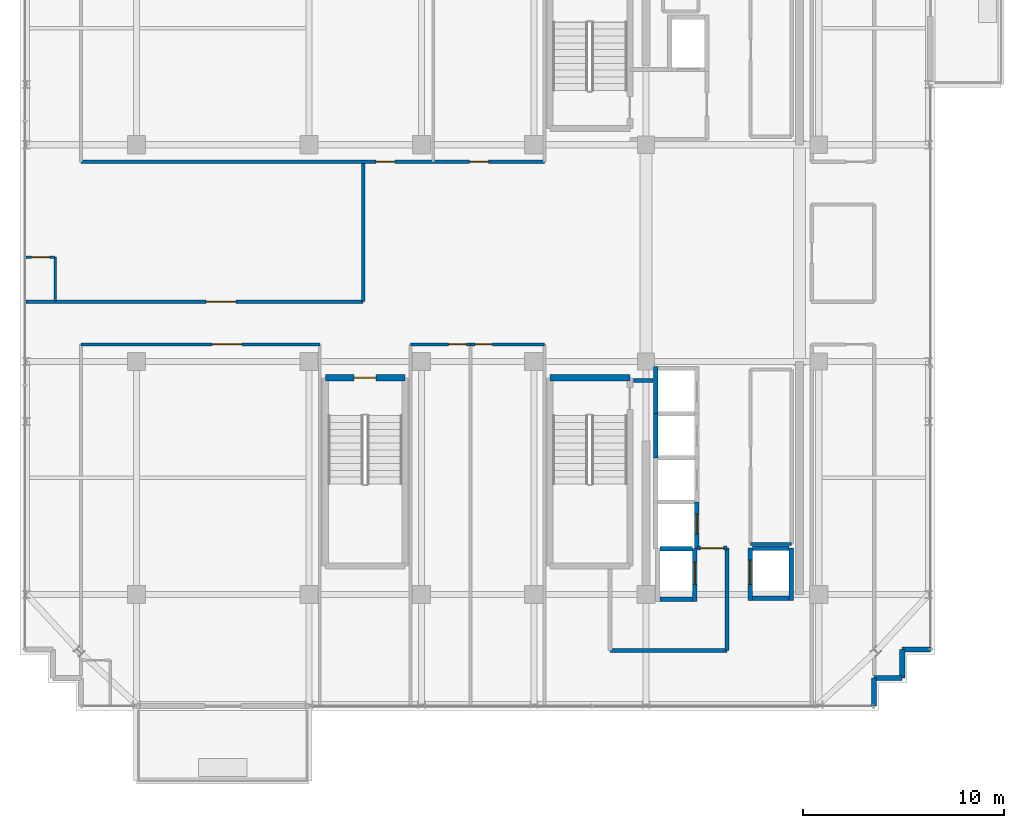
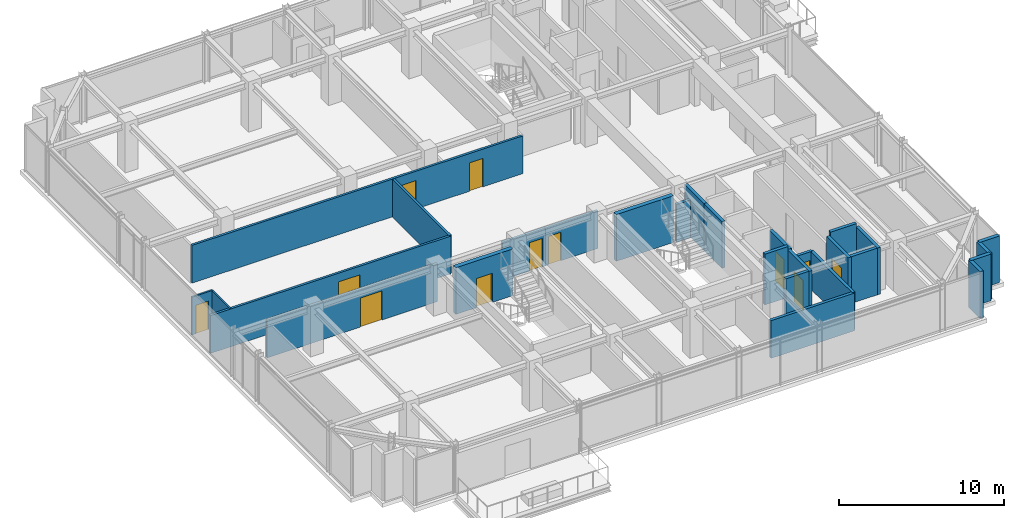
# One storey, part 27 of 32: 29 walls, 12 doors, 12 openings.
"""IFC4 building model written with IfcOpenShell, lengths in metres."""

from ifc_helpers import new_model, si_unit, direction, frame, frame_2d, origin, place, context, subcontext, project, spatial, rectangle, extrude, source, transform, mapped, material, layer, layer_set, type_object, element, fill, save


model = new_model("IFC4")

# Units and contexts
model_context = context("Model", 3, precision=1e-05, world=origin(), true_north=direction((0.0, 1.0)))
body_context = subcontext(model_context, "Body", "Model", "MODEL_VIEW")
ifc_project = project(units=[si_unit("LENGTHUNIT", "METRE"), si_unit("AREAUNIT", "SQUARE_METRE"), si_unit("VOLUMEUNIT", "CUBIC_METRE"), si_unit("PLANEANGLEUNIT", "RADIAN"), si_unit("MASSUNIT", "GRAM", prefix="KILO")], contexts=[model_context])

# Site, building, storey
site_placement = place(None, origin())
site = spatial("IfcSite", under=ifc_project, at=site_placement, CompositionType="ELEMENT")
building_placement = place(site_placement, origin())
building = spatial("IfcBuilding", under=site, at=building_placement, Name="Nahalor Promenade Grand Hotel", CompositionType="ELEMENT")
storey_placement = place(building_placement, frame((0.0, 0.0, 285.050048828125)))
storey = spatial("IfcBuildingStorey", under=building, at=storey_placement, Name="L73", CompositionType="ELEMENT", Elevation=285.050048828125)

# Wall
ifc_material_1 = material(Name="Concrete B-50 (C40/50)", Category="concrete")
ifc_layer_1 = layer(ifc_material_1, 0.300048828125)
ifc_layer_set_1 = layer_set([ifc_layer_1], Name="Concrete B-50 (C40/50)")
wall_type_1 = type_object("IfcWallType", Name="Wall-ShaftShear-300", PredefinedType="SHEAR", material=ifc_layer_set_1)
shared_shape_1 = source(origin(), body_context, "Body", "SweptSolid", [
    extrude(rectangle(XDim=3.97998046875, YDim=0.300048828125, at=frame_2d((1.989990234375, 0.0))), origin(), (0.0, 0.0, 1.0), 3.449951171875),
])
wall_1_placement = place(storey_placement, frame((3.610107421875, -6.2099609375, 0.0), z_axis=(0.0, 0.0, 1.0), x_axis=(1.0, 0.0, 0.0)))
element("IfcWall", 1, at=wall_1_placement, inside=storey, type_object=wall_type_1, Name="L73 Exit Stair ST2 Shaft Wall N", PredefinedType="SHEAR", context=body_context, shape_type="MappedRepresentation", body=[
    mapped(shared_shape_1, transform((0.0, 0.0, 0.0), scale=1.0)),
])

# Wall, opening, door
wall_2_placement = place(storey_placement, frame((-7.590087890625, -6.2099609375, 0.0), z_axis=(0.0, 0.0, 1.0), x_axis=(1.0, 0.0, 0.0)))
wall_2 = element("IfcWall", 2, at=wall_2_placement, inside=storey, type_object=wall_type_1, Name="L73 Exit Stair ST3 Shaft Wall N", PredefinedType="SHEAR", context=body_context, shape_type="MappedRepresentation", body=[
    mapped(shared_shape_1, transform((0.0, 0.0, 0.0), scale=1.0)),
])
opening_1_placement = place(wall_2_placement, frame((1.43994140625, 0.0, 0.0)))
opening_1 = element("IfcOpeningElement", 3, at=opening_1_placement, cuts=wall_2, Name="Opening D-ST1", PredefinedType="OPENING", context=body_context, shape_type="SweptSolid", body=[
    extrude(rectangle(XDim=1.10009765625, YDim=2.14990234375, at=frame_2d((0.550048828125, 1.074951171875))), frame((0.0, 0.159912109375, 0.0), z_axis=(0.0, -1.0, 0.0), x_axis=(1.0, 0.0, 0.0)), (0.0, 0.0, 1.0), 0.320068359375),
])
ifc_material_2 = material(Name="Steel S355JR", Category="steel")
door_type_1 = type_object("IfcDoorType", Name="Door-StairFire-1100", OperationType="NOTDEFINED", PredefinedType="DOOR", material=ifc_material_2)
shared_shape_2 = source(origin(), body_context, "Body", "SweptSolid", [
    extrude(rectangle(XDim=1.10009765625, YDim=2.14990234375, at=frame_2d((0.550048828125, 1.074951171875))), frame((0.0, 0.02490234375, 0.0), z_axis=(0.0, -1.0, 0.0), x_axis=(1.0, 0.0, 0.0)), (0.0, 0.0, 1.0), 0.050048828125),
])
door_1_placement = place(opening_1_placement, frame((1.10009765625, 0.0, 0.0), z_axis=(0.0, 0.0, 1.0), x_axis=(-1.0, 0.0, 0.0)))
door_1 = element("IfcDoor", 4, at=door_1_placement, inside=storey, type_object=door_type_1, Name="DR-STAIR-ST3-L73", OperationType="SINGLE_SWING_RIGHT", OverallHeight=2.14990234375, OverallWidth=1.10009765625, PredefinedType="DOOR", context=body_context, shape_type="MappedRepresentation", body=[
    mapped(shared_shape_2, transform((0.0, 0.0, 0.0), scale=1.0)),
])
fill(opening_1, door_1)

# Walls
ifc_layer_2 = layer(ifc_material_1, 0.219970703125)
ifc_layer_set_2 = layer_set([ifc_layer_2], Name="Concrete B-50 (C40/50)")
wall_type_2 = type_object("IfcWallType", Name="Wall-LiftShaft-220", PredefinedType="SHEAR", material=ifc_layer_set_2)
shared_shape_3 = source(origin(), body_context, "Body", "SweptSolid", [
    extrude(rectangle(XDim=2.360107421875, YDim=0.219970703125, at=frame_2d((1.18017578125, 0.0))), origin(), (0.0, 0.0, 1.0), 3.449951171875),
])
wall_3_placement = place(storey_placement, frame((8.8798828125, -8.0, 0.0), z_axis=(0.0, 0.0, 1.0), x_axis=(0.0, 1.0, 0.0)))
element("IfcWall", 5, at=wall_3_placement, inside=storey, type_object=wall_type_2, Name="L73 Lift PL9 Hoistway Wall W", PredefinedType="SHEAR", context=body_context, shape_type="MappedRepresentation", body=[
    mapped(shared_shape_3, transform((0.0, 0.0, 0.0), scale=1.0)),
])
shared_shape_4 = source(origin(), body_context, "Body", "SweptSolid", [
    extrude(rectangle(XDim=1.820068359375, YDim=0.219970703125, at=frame_2d((0.91015625, 0.0))), origin(), (0.0, 0.0, 1.0), 3.449951171875),
])
wall_4_placement = place(storey_placement, frame((13.68994140625, -17.199951171875, 0.0), z_axis=(0.0, 0.0, 1.0), x_axis=(1.0, 0.0, 0.0)))
element("IfcWall", 6, at=wall_4_placement, inside=storey, type_object=wall_type_2, Name="L73 Lift SV2 Hoistway Wall S", PredefinedType="SHEAR", context=body_context, shape_type="MappedRepresentation", body=[
    mapped(shared_shape_4, transform((0.0, 0.0, 0.0), scale=1.0)),
])
shared_shape_5 = source(origin(), body_context, "Body", "SweptSolid", [
    extrude(rectangle(XDim=2.199951171875, YDim=0.219970703125, at=frame_2d((1.10009765625, 0.0))), origin(), (0.0, 0.0, 1.0), 3.449951171875),
])
wall_5_placement = place(storey_placement, frame((8.8798828125, -10.199951171875, 0.0), z_axis=(0.0, 0.0, 1.0), x_axis=(0.0, 1.0, 0.0)))
element("IfcWall", 7, at=wall_5_placement, inside=storey, type_object=wall_type_2, Name="L73 Lift PL10 Hoistway Wall W", PredefinedType="SHEAR", context=body_context, shape_type="MappedRepresentation", body=[
    mapped(shared_shape_5, transform((0.0, 0.0, 0.0), scale=1.0)),
])
shared_shape_6 = source(origin(), body_context, "Body", "SweptSolid", [
    extrude(rectangle(XDim=1.820068359375, YDim=0.219970703125, at=frame_2d((0.91015625, 0.0))), origin(), (0.0, 0.0, 1.0), 3.75),
])
wall_6_placement = place(storey_placement, frame((13.68994140625, -14.699951171875, 0.0), z_axis=(0.0, 0.0, 1.0), x_axis=(1.0, 0.0, 0.0)))
element("IfcWall", 8, at=wall_6_placement, inside=storey, type_object=wall_type_2, Name="L73 Lift SV2 Hoistway Wall N", PredefinedType="SHEAR", context=body_context, shape_type="MappedRepresentation", body=[
    mapped(shared_shape_6, transform((0.0, 0.0, 0.0), scale=1.0)),
])

# Wall, opening, door
shared_shape_7 = source(origin(), body_context, "Body", "SweptSolid", [
    extrude(rectangle(XDim=2.3251953125, YDim=0.219970703125, at=frame_2d((1.16259765625, 0.0))), origin(), (0.0, 0.0, 1.0), 3.449951171875),
])
wall_7_placement = place(storey_placement, frame((10.919921875, -14.72509765625, 0.0), z_axis=(0.0, 0.0, 1.0), x_axis=(0.0, 1.0, 0.0)))
wall_7 = element("IfcWall", 9, at=wall_7_placement, inside=storey, type_object=wall_type_2, Name="L73 Lift PL12 Hoistway Wall E", PredefinedType="SHEAR", context=body_context, shape_type="MappedRepresentation", body=[
    mapped(shared_shape_7, transform((0.0, 0.0, 0.0), scale=1.0)),
])
opening_2_placement = place(wall_7_placement, frame((0.72509765625, 0.0, 0.0)))
opening_2 = element("IfcOpeningElement", 10, at=opening_2_placement, cuts=wall_7, Name="Opening LD-01", PredefinedType="OPENING", context=body_context, shape_type="SweptSolid", body=[
    extrude(rectangle(XDim=1.0, YDim=2.199951171875, at=frame_2d((0.5, 1.10009765625))), frame((0.0, 0.119873046875, 0.0), z_axis=(0.0, -1.0, 0.0), x_axis=(1.0, 0.0, 0.0)), (0.0, 0.0, 1.0), 0.239990234375),
])
door_type_2 = type_object("IfcDoorType", Name="Door-LiftLanding-1000", OperationType="DOUBLE_DOOR_SLIDING", PredefinedType="DOOR", material=ifc_material_2)
shared_shape_8 = source(origin(), body_context, "Body", "SweptSolid", [
    extrude(rectangle(XDim=1.0, YDim=2.199951171875, at=frame_2d((0.5, 1.10009765625))), frame((0.0, 0.02490234375, 0.0), z_axis=(0.0, -1.0, 0.0), x_axis=(1.0, 0.0, 0.0)), (0.0, 0.0, 1.0), 0.050048828125),
])
door_2_placement = place(opening_2_placement, frame((1.0, 0.0, 0.0), z_axis=(0.0, 0.0, 1.0), x_axis=(-1.0, 0.0, 0.0)))
door_2 = element("IfcDoor", 11, at=door_2_placement, inside=storey, type_object=door_type_2, Name="DR-LIFT-PL12-L73", OperationType="DOUBLE_DOOR_SLIDING", OverallHeight=2.199951171875, OverallWidth=1.0, PredefinedType="DOOR", context=body_context, shape_type="MappedRepresentation", body=[
    mapped(shared_shape_8, transform((0.0, 0.0, 0.0), scale=1.0)),
])
fill(opening_2, door_2)

shared_shape_9 = source(origin(), body_context, "Body", "SweptSolid", [
    extrude(rectangle(XDim=2.635009765625, YDim=0.219970703125, at=frame_2d((1.3173828125, 0.0))), origin(), (0.0, 0.0, 1.0), 3.449951171875),
])
wall_8_placement = place(storey_placement, frame((10.820068359375, -17.360107421875, 0.0), z_axis=(0.0, 0.0, 1.0), x_axis=(0.0, 1.0, 0.0)))
wall_8 = element("IfcWall", 12, at=wall_8_placement, inside=storey, type_object=wall_type_2, Name="L73 Lift FL2 Hoistway Wall E", PredefinedType="SHEAR", context=body_context, shape_type="MappedRepresentation", body=[
    mapped(shared_shape_9, transform((0.0, 0.0, 0.0), scale=1.0)),
])
opening_3_placement = place(wall_8_placement, frame((0.860107421875, 0.0, 0.0)))
opening_3 = element("IfcOpeningElement", 13, at=opening_3_placement, cuts=wall_8, Name="Opening LD-02", PredefinedType="OPENING", context=body_context, shape_type="SweptSolid", body=[
    extrude(rectangle(XDim=1.10009765625, YDim=2.199951171875, at=frame_2d((0.550048828125, 1.10009765625))), frame((0.0, 0.119873046875, 0.0), z_axis=(0.0, -1.0, 0.0), x_axis=(1.0, 0.0, 0.0)), (0.0, 0.0, 1.0), 0.239990234375),
])
door_type_3 = type_object("IfcDoorType", Name="Door-LiftFF-1100", OperationType="DOUBLE_DOOR_SLIDING", PredefinedType="DOOR", material=ifc_material_2)
shared_shape_10 = source(origin(), body_context, "Body", "SweptSolid", [
    extrude(rectangle(XDim=1.10009765625, YDim=2.199951171875, at=frame_2d((0.550048828125, 1.10009765625))), frame((0.0, 0.02490234375, 0.0), z_axis=(0.0, -1.0, 0.0), x_axis=(1.0, 0.0, 0.0)), (0.0, 0.0, 1.0), 0.050048828125),
])
door_3_placement = place(opening_3_placement, frame((1.10009765625, 0.0, 0.0), z_axis=(0.0, 0.0, 1.0), x_axis=(-1.0, 0.0, 0.0)))
door_3 = element("IfcDoor", 14, at=door_3_placement, inside=storey, type_object=door_type_3, Name="DR-LIFT-FL2-L73", OperationType="DOUBLE_DOOR_SLIDING", OverallHeight=2.199951171875, OverallWidth=1.10009765625, PredefinedType="DOOR", context=body_context, shape_type="MappedRepresentation", body=[
    mapped(shared_shape_10, transform((0.0, 0.0, 0.0), scale=1.0)),
])
fill(opening_3, door_3)

# Walls
shared_shape_11 = source(origin(), body_context, "Body", "SweptSolid", [
    extrude(rectangle(XDim=1.619873046875, YDim=0.219970703125, at=frame_2d((0.81005859375, 0.0))), origin(), (0.0, 0.0, 1.0), 3.449951171875),
])
wall_9_placement = place(storey_placement, frame((9.090087890625, -17.25, 0.0), z_axis=(0.0, 0.0, 1.0), x_axis=(1.0, 0.0, 0.0)))
element("IfcWall", 15, at=wall_9_placement, inside=storey, type_object=wall_type_2, Name="L73 Lift FL2 Hoistway Wall S", PredefinedType="SHEAR", context=body_context, shape_type="MappedRepresentation", body=[
    mapped(shared_shape_11, transform((0.0, 0.0, 0.0), scale=1.0)),
])
shared_shape_12 = source(origin(), body_context, "Body", "SweptSolid", [
    extrude(rectangle(XDim=1.619873046875, YDim=0.219970703125, at=frame_2d((0.81005859375, 0.0))), origin(), (0.0, 0.0, 1.0), 3.75),
])
wall_10_placement = place(storey_placement, frame((9.090087890625, -14.72509765625, 0.0), z_axis=(0.0, 0.0, 1.0), x_axis=(1.0, 0.0, 0.0)))
element("IfcWall", 16, at=wall_10_placement, inside=storey, type_object=wall_type_2, Name="L73 Lift FL2 Hoistway Wall N", PredefinedType="SHEAR", context=body_context, shape_type="MappedRepresentation", body=[
    mapped(shared_shape_12, transform((0.0, 0.0, 0.0), scale=1.0)),
])

# Wall, opening, door
shared_shape_13 = source(origin(), body_context, "Body", "SweptSolid", [
    extrude(rectangle(XDim=2.610107421875, YDim=0.219970703125, at=frame_2d((1.30517578125, 0.0))), origin(), (0.0, 0.0, 1.0), 3.449951171875),
])
wall_11_placement = place(storey_placement, frame((13.580078125, -17.31005859375, 0.0), z_axis=(0.0, 0.0, 1.0), x_axis=(0.0, 1.0, 0.0)))
wall_11 = element("IfcWall", 17, at=wall_11_placement, inside=storey, type_object=wall_type_2, Name="L73 Lift SV2 Hoistway Wall W", PredefinedType="SHEAR", context=body_context, shape_type="MappedRepresentation", body=[
    mapped(shared_shape_13, transform((0.0, 0.0, 0.0), scale=1.0)),
])
opening_4_placement = place(wall_11_placement, frame((0.81005859375, 0.0, 0.0)))
opening_4 = element("IfcOpeningElement", 18, at=opening_4_placement, cuts=wall_11, Name="Opening LD-03", PredefinedType="OPENING", context=body_context, shape_type="SweptSolid", body=[
    extrude(rectangle(XDim=1.199951171875, YDim=2.199951171875, at=frame_2d((0.60009765625, 1.10009765625))), frame((0.0, 0.119873046875, 0.0), z_axis=(0.0, -1.0, 0.0), x_axis=(1.0, 0.0, 0.0)), (0.0, 0.0, 1.0), 0.239990234375),
])
door_type_4 = type_object("IfcDoorType", Name="Door-LiftService-1200", OperationType="DOUBLE_DOOR_SLIDING", PredefinedType="DOOR", material=ifc_material_2)
shared_shape_14 = source(origin(), body_context, "Body", "SweptSolid", [
    extrude(rectangle(XDim=1.199951171875, YDim=2.199951171875, at=frame_2d((0.60009765625, 1.10009765625))), frame((0.0, 0.02490234375, 0.0), z_axis=(0.0, -1.0, 0.0), x_axis=(1.0, 0.0, 0.0)), (0.0, 0.0, 1.0), 0.050048828125),
])
door_4_placement = place(opening_4_placement, origin())
door_4 = element("IfcDoor", 19, at=door_4_placement, inside=storey, type_object=door_type_4, Name="DR-LIFT-SV2-L73", OperationType="DOUBLE_DOOR_SLIDING", OverallHeight=2.199951171875, OverallWidth=1.199951171875, PredefinedType="DOOR", context=body_context, shape_type="MappedRepresentation", body=[
    mapped(shared_shape_14, transform((0.0, 0.0, 0.0), scale=1.0)),
])
fill(opening_4, door_4)

# Walls
wall_12_placement = place(storey_placement, frame((15.6201171875, -17.31005859375, 0.0), z_axis=(0.0, 0.0, 1.0), x_axis=(0.0, 1.0, 0.0)))
element("IfcWall", 20, at=wall_12_placement, inside=storey, type_object=wall_type_2, Name="L73 Lift SV2 Hoistway Wall E", PredefinedType="SHEAR", context=body_context, shape_type="MappedRepresentation", body=[
    mapped(shared_shape_13, transform((0.0, 0.0, 0.0), scale=1.0)),
])
ifc_material_3 = material(Name="Concrete B-40 (C32/40)", Category="concrete")
ifc_layer_3 = layer(ifc_material_3, 0.25)
ifc_layer_set_3 = layer_set([ifc_layer_3], Name="Concrete B-40 (C32/40)")
wall_type_3 = type_object("IfcWallType", Name="Wall-BronzePier-250", PredefinedType="STANDARD", material=ifc_layer_set_3)
shared_shape_15 = source(origin(), body_context, "Body", "SweptSolid", [
    extrude(rectangle(XDim=1.400146484375, YDim=0.25, at=frame_2d((0.7001953125, 0.0))), origin(), (0.0, 0.0, 1.0), 3.449951171875),
])
for number, where, z_axis, x_axis, name in (
    (21, (19.760009765625, -22.56005859375, 0.0), (0.0, 0.0, 1.0), (0.0, 1.0, 0.0), "W-L73-SR-01"),
    (22, (21.159912109375, -19.760009765625, 0.0), (0.0, 0.0, 1.0), (1.0, 0.0, 0.0), "W-L73-SR-04"),
):
    element("IfcWall", number, at=place(storey_placement, frame(where, z_axis=z_axis, x_axis=x_axis)), inside=storey, type_object=wall_type_3, Name=name, PredefinedType="STANDARD", context=body_context, shape_type="MappedRepresentation", body=[
        mapped(shared_shape_15, transform((0.0, 0.0, 0.0), scale=1.0)),
    ])
shared_shape_16 = source(origin(), body_context, "Body", "SweptSolid", [
    extrude(rectangle(XDim=1.39990234375, YDim=0.25, at=frame_2d((0.699951171875, 0.0))), origin(), (0.0, 0.0, 1.0), 3.449951171875),
])
for number, where, z_axis, x_axis, name in (
    (23, (19.760009765625, -21.159912109375, 0.0), (0.0, 0.0, 1.0), (1.0, 0.0, 0.0), "W-L73-SR-02"),
    (24, (21.159912109375, -21.159912109375, 0.0), (0.0, 0.0, 1.0), (0.0, 1.0, 0.0), "W-L73-SR-03"),
):
    element("IfcWall", number, at=place(storey_placement, frame(where, z_axis=z_axis, x_axis=x_axis)), inside=storey, type_object=wall_type_3, Name=name, PredefinedType="STANDARD", context=body_context, shape_type="MappedRepresentation", body=[
        mapped(shared_shape_16, transform((0.0, 0.0, 0.0), scale=1.0)),
    ])
ifc_layer_4 = layer(ifc_material_3, 0.199951171875)
ifc_layer_set_4 = layer_set([ifc_layer_4], Name="Concrete B-40 (C32/40)")
wall_type_4 = type_object("IfcWallType", Name="Wall-PartFire-200", PredefinedType="PARTITIONING", material=ifc_layer_set_4)
shared_shape_17 = source(origin(), body_context, "Body", "SweptSolid", [
    extrude(rectangle(XDim=5.81982421875, YDim=0.199951171875, at=frame_2d((2.909912109375, 0.0))), origin(), (0.0, 0.0, 1.0), 2.7900390625),
])
wall_13_placement = place(storey_placement, frame((6.60009765625, -19.800048828125, 0.0), z_axis=(0.0, 0.0, 1.0), x_axis=(1.0, 0.0, 0.0)))
element("IfcWall", 25, at=wall_13_placement, inside=storey, type_object=wall_type_4, Name="W-L73-FF2-S1", PredefinedType="PARTITIONING", context=body_context, shape_type="MappedRepresentation", body=[
    mapped(shared_shape_17, transform((0.0, 0.0, 0.0), scale=1.0)),
])
shared_shape_18 = source(origin(), body_context, "Body", "SweptSolid", [
    extrude(rectangle(XDim=5.10009765625, YDim=0.199951171875, at=frame_2d((2.550048828125, 0.0))), origin(), (0.0, 0.0, 1.0), 2.7900390625),
])
wall_14_placement = place(storey_placement, frame((12.419921875, -19.800048828125, 0.0), z_axis=(0.0, 0.0, 1.0), x_axis=(0.0, 1.0, 0.0)))
element("IfcWall", 26, at=wall_14_placement, inside=storey, type_object=wall_type_4, Name="W-L73-FF2-E", PredefinedType="PARTITIONING", context=body_context, shape_type="MappedRepresentation", body=[
    mapped(shared_shape_18, transform((0.0, 0.0, 0.0), scale=1.0)),
])

# Wall, opening, door
shared_shape_19 = source(origin(), body_context, "Body", "SweptSolid", [
    extrude(rectangle(XDim=1.4599609375, YDim=0.199951171875, at=frame_2d((0.72998046875, 0.0))), origin(), (0.0, 0.0, 1.0), 2.7900390625),
])
wall_15_placement = place(storey_placement, frame((10.9599609375, -14.699951171875, 0.0), z_axis=(0.0, 0.0, 1.0), x_axis=(1.0, 0.0, 0.0)))
wall_15 = element("IfcWall", 27, at=wall_15_placement, inside=storey, type_object=wall_type_4, Name="W-L73-FF2-N1", PredefinedType="PARTITIONING", context=body_context, shape_type="MappedRepresentation", body=[
    mapped(shared_shape_19, transform((0.0, 0.0, 0.0), scale=1.0)),
])
opening_5_placement = place(wall_15_placement, frame((0.14501953125, 0.0, 0.0)))
opening_5 = element("IfcOpeningElement", 28, at=opening_5_placement, cuts=wall_15, Name="Opening D-FF1", PredefinedType="OPENING", context=body_context, shape_type="SweptSolid", body=[
    extrude(rectangle(XDim=1.14990234375, YDim=2.14990234375, at=frame_2d((0.574951171875, 1.074951171875))), frame((0.0, 0.10986328125, 0.0), z_axis=(0.0, -1.0, 0.0), x_axis=(1.0, 0.0, 0.0)), (0.0, 0.0, 1.0), 0.219970703125),
])
door_type_5 = type_object("IfcDoorType", Name="Door-FFLobby-1150", OperationType="NOTDEFINED", PredefinedType="DOOR", material=ifc_material_2)
shared_shape_20 = source(origin(), body_context, "Body", "SweptSolid", [
    extrude(rectangle(XDim=1.14990234375, YDim=2.14990234375, at=frame_2d((0.574951171875, 1.074951171875))), frame((0.0, 0.02490234375, 0.0), z_axis=(0.0, -1.0, 0.0), x_axis=(1.0, 0.0, 0.0)), (0.0, 0.0, 1.0), 0.050048828125),
])
door_5_placement = place(opening_5_placement, origin())
door_5 = element("IfcDoor", 29, at=door_5_placement, inside=storey, type_object=door_type_5, Name="DR-L73-FFL2", OperationType="SINGLE_SWING_RIGHT", OverallHeight=2.14990234375, OverallWidth=1.14990234375, PredefinedType="DOOR", context=body_context, shape_type="MappedRepresentation", body=[
    mapped(shared_shape_20, transform((0.0, 0.0, 0.0), scale=1.0)),
])
fill(opening_5, door_5)

# Walls
shared_shape_21 = source(origin(), body_context, "Body", "SweptSolid", [
    extrude(rectangle(XDim=0.969970703125, YDim=0.199951171875, at=frame_2d((0.48486328125, 0.0))), origin(), (0.0, 0.0, 1.0), 2.7900390625),
])
wall_16_placement = place(storey_placement, frame((7.77001953125, -6.35009765625, 0.0), z_axis=(0.0, 0.0, 1.0), x_axis=(1.0, 0.0, 0.0)))
element("IfcWall", 30, at=wall_16_placement, inside=storey, type_object=wall_type_4, Name="W-L73-FF2-N2", PredefinedType="PARTITIONING", context=body_context, shape_type="MappedRepresentation", body=[
    mapped(shared_shape_21, transform((0.0, 0.0, 0.0), scale=1.0)),
])
ifc_material_4 = material(Name="Acoustic Mineral Gypsum", Category="gypsum")
ifc_layer_5 = layer(ifc_material_4, 0.159912109375)
ifc_layer_set_5 = layer_set([ifc_layer_5], Name="Acoustic Mineral Gypsum")
wall_type_5 = type_object("IfcWallType", Name="Wall-PartCorridor-160", PredefinedType="PARTITIONING", material=ifc_layer_set_5)
shared_shape_22 = source(origin(), body_context, "Body", "SweptSolid", [
    extrude(rectangle(XDim=2.0498046875, YDim=0.159912109375, at=frame_2d((1.02490234375, 0.0))), origin(), (0.0, 0.0, 1.0), 2.7900390625),
])
wall_17_placement = place(storey_placement, frame((13.60009765625, -14.5, 0.0), z_axis=(0.0, 0.0, 1.0), x_axis=(1.0, 0.0, 0.0)))
element("IfcWall", 31, at=wall_17_placement, inside=storey, type_object=wall_type_5, Name="W-L73-FRB2-S", PredefinedType="PARTITIONING", context=body_context, shape_type="MappedRepresentation", body=[
    mapped(shared_shape_22, transform((0.0, 0.0, 0.0), scale=1.0)),
])

# Wall, openings, doors
shared_shape_23 = source(origin(), body_context, "Body", "SweptSolid", [
    extrude(rectangle(XDim=23.10009765625, YDim=0.159912109375, at=frame_2d((11.550048828125, 0.0))), origin(), (0.0, 0.0, 1.0), 2.7900390625),
])
wall_18_placement = place(storey_placement, frame((-19.760009765625, 4.550048828125, 0.0), z_axis=(0.0, 0.0, 1.0), x_axis=(1.0, 0.0, 0.0)))
wall_18 = element("IfcWall", 32, at=wall_18_placement, inside=storey, type_object=wall_type_5, Name="W-L73-CORR-N", PredefinedType="PARTITIONING", context=body_context, shape_type="MappedRepresentation", body=[
    mapped(shared_shape_23, transform((0.0, 0.0, 0.0), scale=1.0)),
])
opening_6_placement = place(wall_18_placement, frame((14.694091796875, 0.0, 0.0)))
opening_6 = element("IfcOpeningElement", 33, at=opening_6_placement, cuts=wall_18, Name="Opening D-01", PredefinedType="OPENING", context=body_context, shape_type="SweptSolid", body=[
    extrude(rectangle(XDim=0.949951171875, YDim=2.10009765625, at=frame_2d((0.47509765625, 1.050048828125))), frame((0.0, 0.08984375, 0.0), z_axis=(0.0, -1.0, 0.0), x_axis=(1.0, 0.0, 0.0)), (0.0, 0.0, 1.0), 0.179931640625),
])
opening_7_placement = place(wall_18_placement, frame((19.35888671875, 0.0, 0.0)))
opening_7 = element("IfcOpeningElement", 34, at=opening_7_placement, cuts=wall_18, Name="Opening D-01", PredefinedType="OPENING", context=body_context, shape_type="SweptSolid", body=[
    extrude(rectangle(XDim=0.949951171875, YDim=2.10009765625, at=frame_2d((0.47509765625, 1.050048828125))), frame((0.0, 0.08984375, 0.0), z_axis=(0.0, -1.0, 0.0), x_axis=(1.0, 0.0, 0.0)), (0.0, 0.0, 1.0), 0.179931640625),
])
ifc_material_5 = material(Name="Fire-Rated Timber Composite", Category="wood")
door_type_6 = type_object("IfcDoorType", Name="Door-GuestEntry-950", OperationType="NOTDEFINED", PredefinedType="DOOR", material=ifc_material_5)
shared_shape_24 = source(origin(), body_context, "Body", "SweptSolid", [
    extrude(rectangle(XDim=0.949951171875, YDim=2.10009765625, at=frame_2d((0.47509765625, 1.050048828125))), frame((0.0, 0.02490234375, 0.0), z_axis=(0.0, -1.0, 0.0), x_axis=(1.0, 0.0, 0.0)), (0.0, 0.0, 1.0), 0.050048828125),
])
door_6_placement = place(opening_6_placement, origin())
door_6 = element("IfcDoor", 35, at=door_6_placement, inside=storey, type_object=door_type_6, Name="DR-L73-N1-ENT", OperationType="SINGLE_SWING_LEFT", OverallHeight=2.10009765625, OverallWidth=0.949951171875, PredefinedType="DOOR", context=body_context, shape_type="MappedRepresentation", body=[
    mapped(shared_shape_24, transform((0.0, 0.0, 0.0), scale=1.0)),
])
fill(opening_6, door_6)
door_7_placement = place(opening_7_placement, origin())
door_7 = element("IfcDoor", 36, at=door_7_placement, inside=storey, type_object=door_type_6, Name="DR-L73-N2-ENT", OperationType="SINGLE_SWING_LEFT", OverallHeight=2.10009765625, OverallWidth=0.949951171875, PredefinedType="DOOR", context=body_context, shape_type="MappedRepresentation", body=[
    mapped(shared_shape_24, transform((0.0, 0.0, 0.0), scale=1.0)),
])
fill(opening_7, door_7)

# Wall, opening, door
ifc_layer_6 = layer(ifc_material_4, 0.1201171875)
ifc_layer_set_6 = layer_set([ifc_layer_6], Name="Acoustic Mineral Gypsum")
wall_type_6 = type_object("IfcWallType", Name="Wall-PartBath-120", PredefinedType="PARTITIONING", material=ifc_layer_set_6)
shared_shape_25 = source(origin(), body_context, "Body", "SweptSolid", [
    extrude(rectangle(XDim=1.449951171875, YDim=0.1201171875, at=frame_2d((0.72509765625, 0.0))), origin(), (0.0, 0.0, 1.0), 2.7900390625),
])
wall_19_placement = place(storey_placement, frame((-22.5, -0.199951171875, 0.0), z_axis=(0.0, 0.0, 1.0), x_axis=(1.0, 0.0, 0.0)))
wall_19 = element("IfcWall", 37, at=wall_19_placement, inside=storey, type_object=wall_type_6, Name="W-L73-W1-BH", PredefinedType="PARTITIONING", context=body_context, shape_type="MappedRepresentation", body=[
    mapped(shared_shape_25, transform((0.0, 0.0, 0.0), scale=1.0)),
])
opening_8_placement = place(wall_19_placement, frame((0.284912109375, 0.0, 0.0)))
opening_8 = element("IfcOpeningElement", 38, at=opening_8_placement, cuts=wall_19, Name="Opening D-03", PredefinedType="OPENING", context=body_context, shape_type="SweptSolid", body=[
    extrude(rectangle(XDim=0.8798828125, YDim=2.10009765625, at=frame_2d((0.43994140625, 1.050048828125))), frame((0.0, 0.070068359375, 0.0), z_axis=(0.0, -1.0, 0.0), x_axis=(1.0, 0.0, 0.0)), (0.0, 0.0, 1.0), 0.14013671875),
])
door_type_7 = type_object("IfcDoorType", Name="Door-BathSwing-880", OperationType="NOTDEFINED", PredefinedType="DOOR", material=ifc_material_5)
shared_shape_26 = source(origin(), body_context, "Body", "SweptSolid", [
    extrude(rectangle(XDim=0.8798828125, YDim=2.10009765625, at=frame_2d((0.43994140625, 1.050048828125))), frame((0.0, 0.02490234375, 0.0), z_axis=(0.0, -1.0, 0.0), x_axis=(1.0, 0.0, 0.0)), (0.0, 0.0, 1.0), 0.050048828125),
])
door_8_placement = place(opening_8_placement, frame((0.8798828125, 0.0, 0.0), z_axis=(0.0, 0.0, 1.0), x_axis=(-1.0, 0.0, 0.0)))
door_8 = element("IfcDoor", 39, at=door_8_placement, inside=storey, type_object=door_type_7, Name="DR-L73-W1-BATH", OperationType="SINGLE_SWING_LEFT", OverallHeight=2.10009765625, OverallWidth=0.8798828125, PredefinedType="DOOR", context=body_context, shape_type="MappedRepresentation", body=[
    mapped(shared_shape_26, transform((0.0, 0.0, 0.0), scale=1.0)),
])
fill(opening_8, door_8)

# Wall
shared_shape_27 = source(origin(), body_context, "Body", "SweptSolid", [
    extrude(rectangle(XDim=2.219970703125, YDim=0.1201171875, at=frame_2d((1.10986328125, 0.0))), origin(), (0.0, 0.0, 1.0), 2.7900390625),
])
wall_20_placement = place(storey_placement, frame((-21.050048828125, -2.419921875, 0.0), z_axis=(0.0, 0.0, 1.0), x_axis=(0.0, 1.0, 0.0)))
element("IfcWall", 40, at=wall_20_placement, inside=storey, type_object=wall_type_6, Name="W-L73-W1-BV", PredefinedType="PARTITIONING", context=body_context, shape_type="MappedRepresentation", body=[
    mapped(shared_shape_27, transform((0.0, 0.0, 0.0), scale=1.0)),
])

# Wall, opening, door
shared_shape_28 = source(origin(), body_context, "Body", "SweptSolid", [
    extrude(rectangle(XDim=11.89990234375, YDim=0.159912109375, at=frame_2d((5.949951171875, 0.0))), origin(), (0.0, 0.0, 1.0), 2.7900390625),
])
wall_21_placement = place(storey_placement, frame((-19.760009765625, -4.550048828125, 0.0), z_axis=(0.0, 0.0, 1.0), x_axis=(1.0, 0.0, 0.0)))
wall_21 = element("IfcWall", 41, at=wall_21_placement, inside=storey, type_object=wall_type_5, Name="W-L73-CORR-S", PredefinedType="PARTITIONING", context=body_context, shape_type="MappedRepresentation", body=[
    mapped(shared_shape_28, transform((0.0, 0.0, 0.0), scale=1.0)),
])
opening_9_placement = place(wall_21_placement, frame((6.52294921875, 0.0, 0.0)))
opening_9 = element("IfcOpeningElement", 42, at=opening_9_placement, cuts=wall_21, Name="Opening D-02", PredefinedType="OPENING", context=body_context, shape_type="SweptSolid", body=[
    extrude(rectangle(XDim=1.5, YDim=2.14990234375, at=frame_2d((0.75, 1.074951171875))), frame((0.0, 0.08984375, 0.0), z_axis=(0.0, -1.0, 0.0), x_axis=(1.0, 0.0, 0.0)), (0.0, 0.0, 1.0), 0.179931640625),
])
door_type_8 = type_object("IfcDoorType", Name="Door-SuiteDouble-1500", OperationType="DOUBLE_DOOR_SINGLE_SWING", PredefinedType="DOOR", material=ifc_material_5)
shared_shape_29 = source(origin(), body_context, "Body", "SweptSolid", [
    extrude(rectangle(XDim=1.5, YDim=2.14990234375, at=frame_2d((0.75, 1.074951171875))), frame((0.0, 0.02490234375, 0.0), z_axis=(0.0, -1.0, 0.0), x_axis=(1.0, 0.0, 0.0)), (0.0, 0.0, 1.0), 0.050048828125),
])
door_9_placement = place(opening_9_placement, frame((1.5, 0.0, 0.0), z_axis=(0.0, 0.0, 1.0), x_axis=(-1.0, 0.0, 0.0)))
door_9 = element("IfcDoor", 43, at=door_9_placement, inside=storey, type_object=door_type_8, Name="DR-L73-S1-ENT", OperationType="DOUBLE_DOOR_SINGLE_SWING", OverallHeight=2.14990234375, OverallWidth=1.5, PredefinedType="DOOR", context=body_context, shape_type="MappedRepresentation", body=[
    mapped(shared_shape_29, transform((0.0, 0.0, 0.0), scale=1.0)),
])
fill(opening_9, door_9)

shared_shape_30 = source(origin(), body_context, "Body", "SweptSolid", [
    extrude(rectangle(XDim=16.800048828125, YDim=0.159912109375, at=frame_2d((8.39990234375, 0.0))), origin(), (0.0, 0.0, 1.0), 2.7900390625),
])
wall_22_placement = place(storey_placement, frame((-22.5, -2.419921875, 0.0), z_axis=(0.0, 0.0, 1.0), x_axis=(1.0, 0.0, 0.0)))
wall_22 = element("IfcWall", 44, at=wall_22_placement, inside=storey, type_object=wall_type_5, Name="W-L73-WEST-S", PredefinedType="PARTITIONING", context=body_context, shape_type="MappedRepresentation", body=[
    mapped(shared_shape_30, transform((0.0, 0.0, 0.0), scale=1.0)),
])
opening_10_placement = place(wall_22_placement, frame((8.9580078125, 0.0, 0.0)))
opening_10 = element("IfcOpeningElement", 45, at=opening_10_placement, cuts=wall_22, Name="Opening D-02", PredefinedType="OPENING", context=body_context, shape_type="SweptSolid", body=[
    extrude(rectangle(XDim=1.5, YDim=2.14990234375, at=frame_2d((0.75, 1.074951171875))), frame((0.0, 0.08984375, 0.0), z_axis=(0.0, -1.0, 0.0), x_axis=(1.0, 0.0, 0.0)), (0.0, 0.0, 1.0), 0.179931640625),
])
door_10_placement = place(opening_10_placement, frame((1.5, 0.0, 0.0), z_axis=(0.0, 0.0, 1.0), x_axis=(-1.0, 0.0, 0.0)))
door_10 = element("IfcDoor", 46, at=door_10_placement, inside=storey, type_object=door_type_8, Name="DR-L73-W1-ENT", OperationType="DOUBLE_DOOR_SINGLE_SWING", OverallHeight=2.14990234375, OverallWidth=1.5, PredefinedType="DOOR", context=body_context, shape_type="MappedRepresentation", body=[
    mapped(shared_shape_29, transform((0.0, 0.0, 0.0), scale=1.0)),
])
fill(opening_10, door_10)

# Wall
shared_shape_31 = source(origin(), body_context, "Body", "SweptSolid", [
    extrude(rectangle(XDim=6.8798828125, YDim=0.159912109375, at=frame_2d((3.43994140625, 0.0))), origin(), (0.0, 0.0, 1.0), 2.7900390625),
])
wall_23_placement = place(storey_placement, frame((-5.699951171875, -2.419921875, 0.0), z_axis=(0.0, 0.0, 1.0), x_axis=(0.0, 1.0, 0.0)))
element("IfcWall", 47, at=wall_23_placement, inside=storey, type_object=wall_type_5, Name="W-L73-WEST-E", PredefinedType="PARTITIONING", context=body_context, shape_type="MappedRepresentation", body=[
    mapped(shared_shape_31, transform((0.0, 0.0, 0.0), scale=1.0)),
])

# Wall, opening, door
shared_shape_32 = source(origin(), body_context, "Body", "SweptSolid", [
    extrude(rectangle(XDim=2.989990234375, YDim=0.159912109375, at=frame_2d((1.4951171875, 0.0))), origin(), (0.0, 0.0, 1.0), 2.7900390625),
])
wall_24_placement = place(storey_placement, frame((-3.340087890625, -4.550048828125, 0.0), z_axis=(0.0, 0.0, 1.0), x_axis=(1.0, 0.0, 0.0)))
wall_24 = element("IfcWall", 48, at=wall_24_placement, inside=storey, type_object=wall_type_5, Name="W-L73-SCB1-N", PredefinedType="PARTITIONING", context=body_context, shape_type="MappedRepresentation", body=[
    mapped(shared_shape_32, transform((0.0, 0.0, 0.0), scale=1.0)),
])
opening_11_placement = place(wall_24_placement, frame((1.89990234375, 0.0, 0.0)))
opening_11 = element("IfcOpeningElement", 49, at=opening_11_placement, cuts=wall_24, Name="Opening D-03", PredefinedType="OPENING", context=body_context, shape_type="SweptSolid", body=[
    extrude(rectangle(XDim=0.8798828125, YDim=2.10009765625, at=frame_2d((0.43994140625, 1.050048828125))), frame((0.0, 0.08984375, 0.0), z_axis=(0.0, -1.0, 0.0), x_axis=(1.0, 0.0, 0.0)), (0.0, 0.0, 1.0), 0.179931640625),
])
door_11_placement = place(opening_11_placement, frame((0.8798828125, 0.0, 0.0), z_axis=(0.0, 0.0, 1.0), x_axis=(-1.0, 0.0, 0.0)))
door_11 = element("IfcDoor", 50, at=door_11_placement, inside=storey, type_object=door_type_7, Name="DR-L73-SCB1", OperationType="SINGLE_SWING_LEFT", OverallHeight=2.10009765625, OverallWidth=0.8798828125, PredefinedType="DOOR", context=body_context, shape_type="MappedRepresentation", body=[
    mapped(shared_shape_26, transform((0.0, 0.0, 0.0), scale=1.0)),
])
fill(opening_11, door_11)

shared_shape_33 = source(origin(), body_context, "Body", "SweptSolid", [
    extrude(rectangle(XDim=3.690185546875, YDim=0.159912109375, at=frame_2d((1.84521484375, 0.0))), origin(), (0.0, 0.0, 1.0), 2.7900390625),
])
wall_25_placement = place(storey_placement, frame((-0.35009765625, -4.550048828125, 0.0), z_axis=(0.0, 0.0, 1.0), x_axis=(1.0, 0.0, 0.0)))
wall_25 = element("IfcWall", 51, at=wall_25_placement, inside=storey, type_object=wall_type_5, Name="W-L73-SCB2-N", PredefinedType="PARTITIONING", context=body_context, shape_type="MappedRepresentation", body=[
    mapped(shared_shape_33, transform((0.0, 0.0, 0.0), scale=1.0)),
])
opening_12_placement = place(wall_25_placement, frame((0.2099609375, 0.0, 0.0)))
opening_12 = element("IfcOpeningElement", 52, at=opening_12_placement, cuts=wall_25, Name="Opening D-03", PredefinedType="OPENING", context=body_context, shape_type="SweptSolid", body=[
    extrude(rectangle(XDim=0.8798828125, YDim=2.10009765625, at=frame_2d((0.43994140625, 1.050048828125))), frame((0.0, 0.08984375, 0.0), z_axis=(0.0, -1.0, 0.0), x_axis=(1.0, 0.0, 0.0)), (0.0, 0.0, 1.0), 0.179931640625),
])
door_12_placement = place(opening_12_placement, frame((0.8798828125, 0.0, 0.0), z_axis=(0.0, 0.0, 1.0), x_axis=(-1.0, 0.0, 0.0)))
door_12 = element("IfcDoor", 53, at=door_12_placement, inside=storey, type_object=door_type_7, Name="DR-L73-SCB2", OperationType="SINGLE_SWING_RIGHT", OverallHeight=2.10009765625, OverallWidth=0.8798828125, PredefinedType="DOOR", context=body_context, shape_type="MappedRepresentation", body=[
    mapped(shared_shape_26, transform((0.0, 0.0, 0.0), scale=1.0)),
])
fill(opening_12, door_12)

save(model, "model.ifc")
